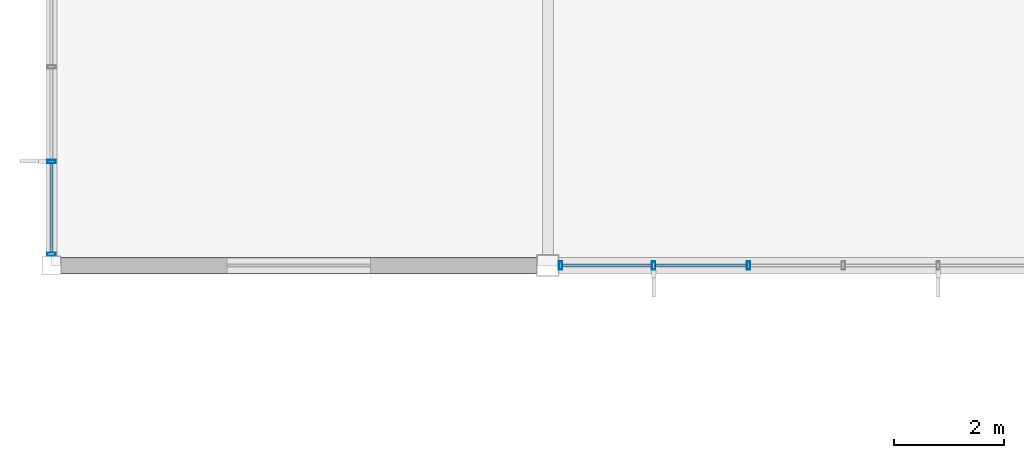
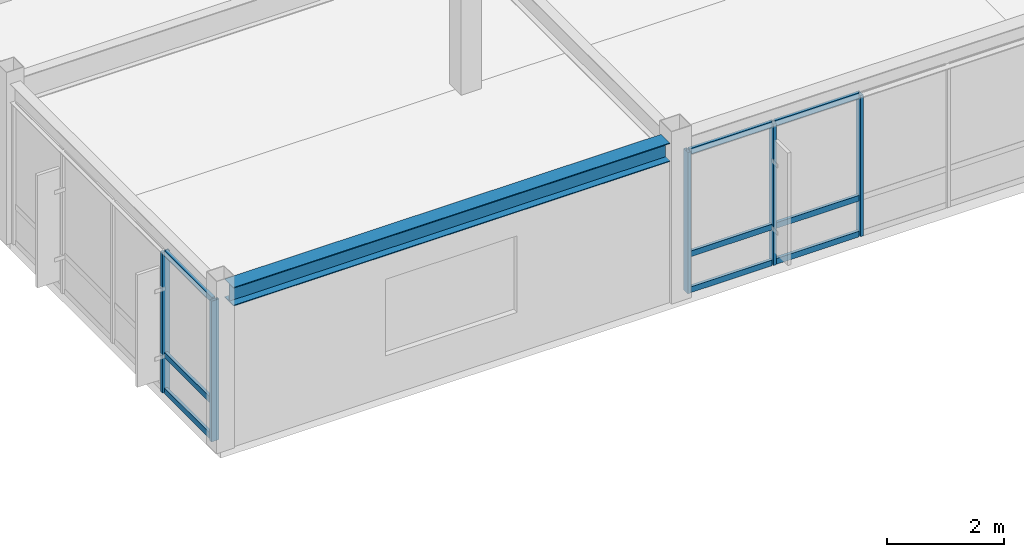
# One storey, part 4 of 34: 14 members, 1 beam, 2 elements without a shape of their own.
"""IFC4 building model written with IfcOpenShell, lengths in metres."""

from ifc_helpers import new_model, si_unit, direction, frame, origin, origin_2d, place, context, subcontext, project, spatial, hollow_rectangle, i_section, extrude, material, material_profile, profile_set, type_object, element, aggregate, save


model = new_model("IFC4")

# Units and contexts
model_context = context("Model", 3, precision=1e-05, world=origin(), true_north=direction((0.0, 1.0)))
body_context = subcontext(model_context, "Body", "Model", "MODEL_VIEW")
ifc_project = project(units=[si_unit("LENGTHUNIT", "METRE"), si_unit("AREAUNIT", "SQUARE_METRE"), si_unit("VOLUMEUNIT", "CUBIC_METRE"), si_unit("PLANEANGLEUNIT", "RADIAN"), si_unit("MASSUNIT", "GRAM", prefix="KILO")], contexts=[model_context])

# Site, building, storey
site_placement = place(None, origin())
site = spatial("IfcSite", under=ifc_project, at=site_placement, CompositionType="ELEMENT")
building_placement = place(site_placement, origin())
building = spatial("IfcBuilding", under=site, at=building_placement, Name="Kazanami Central Library", CompositionType="ELEMENT")
storey_placement = place(building_placement, frame((0.0, 0.0, 17.0)))
storey = spatial("IfcBuildingStorey", under=building, at=storey_placement, Name="L05", CompositionType="ELEMENT", Elevation=17.0)

# Beam
ifc_material_1 = material(Name="Steel SN490B (325 MPa)", Category="steel")
ifc_material_profile_1 = material_profile(ifc_material_1, i_section(OverallWidth=0.300048828125, OverallDepth=0.389892578125, WebThickness=0.010009765625, FlangeThickness=0.01611328125, at=origin_2d()), Name="H-390x300x10x16")
ifc_profile_set_1 = profile_set([ifc_material_profile_1], Name="Steel SN490B (325 MPa)")
beam_type = type_object("IfcBeamType", Name="BM-SP-4", PredefinedType="SPANDREL", material=ifc_profile_set_1)
beam_placement = place(storey_placement, frame((0.173095703125, 64.800048828125, 3.14501953125), z_axis=(1.0, 0.0, 0.0), x_axis=(0.0, 1.0, 0.0)))
element("IfcBeam", 1, at=beam_placement, inside=storey, type_object=beam_type, Name="Girder SP-4 L05 K/1-2", PredefinedType="SPANDREL", context=body_context, shape_type="SweptSolid", body=[
    extrude(i_section(OverallWidth=0.300048828125, OverallDepth=0.389892578125, WebThickness=0.010009765625, FlangeThickness=0.01611328125, at=origin_2d()), origin(), (0.0, 0.0, 1.0), 8.62890625),
])

# Curtain wall, members
ifc_material_2 = material(Name="Acid-Etched Low-E Laminated Glass", Category="glass")
curtain_wall_type_1 = type_object("IfcCurtainWallType", Name="CW-8600x2950-M180", PredefinedType="USERDEFINED", material=ifc_material_2)
curtain_wall_1_placement = place(storey_placement, origin())
curtain_wall_1 = element("IfcCurtainWall", 2, at=curtain_wall_1_placement, inside=storey, type_object=curtain_wall_type_1, Name="Unitised Curtain Wall CW-50 L05 S-K-01", ObjectType="UNITISED CURTAIN WALL", PredefinedType="USERDEFINED")
ifc_material_3 = material(Name="Anodised Aluminium A6063-T5", Category="aluminium")
ifc_material_profile_2 = material_profile(ifc_material_3, hollow_rectangle(XDim=0.06005859375, YDim=0.14990234375, WallThickness=0.00390625, at=origin_2d()), Name="ALU-MULL-60x150x4")
ifc_profile_set_2 = profile_set([ifc_material_profile_2], Name="Anodised Aluminium A6063-T5")
member_type_1 = type_object("IfcMemberType", Name="MEM-CW-M3", PredefinedType="MULLION", material=ifc_profile_set_2)
member_1_placement = place(storey_placement, frame((9.22998046875, 64.800048828125, 0.0), z_axis=(0.0, 0.0, 1.0), x_axis=(1.0, 0.0, 0.0)))
member_1 = element("IfcMember", 3, at=member_1_placement, type_object=member_type_1, Name="CW-50 mullion 1", PredefinedType="MULLION", context=body_context, shape_type="SweptSolid", body=[
    extrude(hollow_rectangle(XDim=0.06005859375, YDim=0.14990234375, WallThickness=0.00390625, at=origin_2d()), origin(), (0.0, 0.0, 1.0), 2.949951171875),
])
member_2_placement = place(storey_placement, frame((10.919921875, 64.800048828125, 0.0), z_axis=(0.0, 0.0, 1.0), x_axis=(1.0, 0.0, 0.0)))
member_2 = element("IfcMember", 4, at=member_2_placement, type_object=member_type_1, Name="CW-50 mullion 2", PredefinedType="MULLION", context=body_context, shape_type="SweptSolid", body=[
    extrude(hollow_rectangle(XDim=0.06005859375, YDim=0.14990234375, WallThickness=0.00390625, at=origin_2d()), origin(), (0.0, 0.0, 1.0), 2.949951171875),
])
member_3_placement = place(storey_placement, frame((12.639892578125, 64.800048828125, 0.0), z_axis=(0.0, 0.0, 1.0), x_axis=(1.0, 0.0, 0.0)))
member_3 = element("IfcMember", 5, at=member_3_placement, type_object=member_type_1, Name="CW-50 mullion 3", PredefinedType="MULLION", context=body_context, shape_type="SweptSolid", body=[
    extrude(hollow_rectangle(XDim=0.06005859375, YDim=0.14990234375, WallThickness=0.00390625, at=origin_2d()), origin(), (0.0, 0.0, 1.0), 2.949951171875),
])

curtain_wall_type_2 = type_object("IfcCurtainWallType", Name="CW-6850x2940-M180", PredefinedType="USERDEFINED", material=ifc_material_2)
curtain_wall_2_placement = place(storey_placement, origin())
curtain_wall_2 = element("IfcCurtainWall", 6, at=curtain_wall_2_placement, inside=storey, type_object=curtain_wall_type_2, Name="Unitised Curtain Wall CW-52 L05 W-1-09", ObjectType="UNITISED CURTAIN WALL", PredefinedType="USERDEFINED")
member_4_placement = place(storey_placement, frame((0.0, 65.0048828125, 0.0), z_axis=(0.0, 0.0, 1.0), x_axis=(0.0, 1.0, 0.0)))
member_4 = element("IfcMember", 7, at=member_4_placement, type_object=member_type_1, Name="CW-52 mullion 1", PredefinedType="MULLION", context=body_context, shape_type="SweptSolid", body=[
    extrude(hollow_rectangle(XDim=0.06005859375, YDim=0.14990234375, WallThickness=0.00390625, at=origin_2d()), origin(), (0.0, 0.0, 1.0), 2.93994140625),
])
member_5_placement = place(storey_placement, frame((0.0, 66.6875, 0.0), z_axis=(0.0, 0.0, 1.0), x_axis=(0.0, 1.0, 0.0)))
member_5 = element("IfcMember", 8, at=member_5_placement, type_object=member_type_1, Name="CW-52 mullion 2", PredefinedType="MULLION", context=body_context, shape_type="SweptSolid", body=[
    extrude(hollow_rectangle(XDim=0.06005859375, YDim=0.14990234375, WallThickness=0.00390625, at=origin_2d()), origin(), (0.0, 0.0, 1.0), 2.93994140625),
])

# Member
ifc_material_profile_3 = material_profile(ifc_material_3, hollow_rectangle(XDim=0.06005859375, YDim=0.1201171875, WallThickness=0.00341796875, at=origin_2d()), Name="ALU-TRAN-60x120x3.5")
ifc_profile_set_3 = profile_set([ifc_material_profile_3], Name="Anodised Aluminium A6063-T5")
member_type_2 = type_object("IfcMemberType", Name="MEM-CW-T3", PredefinedType="USERDEFINED", material=ifc_profile_set_3)
member_6_placement = place(storey_placement, frame((9.260009765625, 64.800048828125, 0.030029296875), z_axis=(1.0, 0.0, 0.0), x_axis=(0.0, 1.0, 0.0)))
member_6 = element("IfcMember", 9, at=member_6_placement, type_object=member_type_2, Name="CW-50 transom 1.1", ObjectType="TRANSOM", PredefinedType="USERDEFINED", context=body_context, shape_type="SweptSolid", body=[
    extrude(hollow_rectangle(XDim=0.06005859375, YDim=0.1201171875, WallThickness=0.00341796875, at=origin_2d()), origin(), (0.0, 0.0, 1.0), 1.6298828125),
])

member_7_placement = place(storey_placement, frame((9.260009765625, 64.800048828125, 0.780029296875), z_axis=(1.0, 0.0, 0.0), x_axis=(0.0, 1.0, 0.0)))
member_7 = element("IfcMember", 10, at=member_7_placement, type_object=member_type_2, Name="CW-50 transom 1.2", ObjectType="TRANSOM", PredefinedType="USERDEFINED", context=body_context, shape_type="SweptSolid", body=[
    extrude(hollow_rectangle(XDim=0.06005859375, YDim=0.1201171875, WallThickness=0.00341796875, at=origin_2d()), origin(), (0.0, 0.0, 1.0), 1.6298828125),
])

member_8_placement = place(storey_placement, frame((9.260009765625, 64.800048828125, 2.919921875), z_axis=(1.0, 0.0, 0.0), x_axis=(0.0, 1.0, 0.0)))
member_8 = element("IfcMember", 11, at=member_8_placement, type_object=member_type_2, Name="CW-50 transom 1.3", ObjectType="TRANSOM", PredefinedType="USERDEFINED", context=body_context, shape_type="SweptSolid", body=[
    extrude(hollow_rectangle(XDim=0.06005859375, YDim=0.1201171875, WallThickness=0.00341796875, at=origin_2d()), origin(), (0.0, 0.0, 1.0), 1.6298828125),
])

member_9_placement = place(storey_placement, frame((10.949951171875, 64.800048828125, 0.030029296875), z_axis=(1.0, 0.0, 0.0), x_axis=(0.0, 1.0, 0.0)))
member_9 = element("IfcMember", 12, at=member_9_placement, type_object=member_type_2, Name="CW-50 transom 2.1", ObjectType="TRANSOM", PredefinedType="USERDEFINED", context=body_context, shape_type="SweptSolid", body=[
    extrude(hollow_rectangle(XDim=0.06005859375, YDim=0.1201171875, WallThickness=0.00341796875, at=origin_2d()), origin(), (0.0, 0.0, 1.0), 1.66015625),
])

member_10_placement = place(storey_placement, frame((10.949951171875, 64.800048828125, 0.780029296875), z_axis=(1.0, 0.0, 0.0), x_axis=(0.0, 1.0, 0.0)))
member_10 = element("IfcMember", 13, at=member_10_placement, type_object=member_type_2, Name="CW-50 transom 2.2", ObjectType="TRANSOM", PredefinedType="USERDEFINED", context=body_context, shape_type="SweptSolid", body=[
    extrude(hollow_rectangle(XDim=0.06005859375, YDim=0.1201171875, WallThickness=0.00341796875, at=origin_2d()), origin(), (0.0, 0.0, 1.0), 1.66015625),
])

member_11_placement = place(storey_placement, frame((10.949951171875, 64.800048828125, 2.919921875), z_axis=(1.0, 0.0, 0.0), x_axis=(0.0, 1.0, 0.0)))
member_11 = element("IfcMember", 14, at=member_11_placement, type_object=member_type_2, Name="CW-50 transom 2.3", ObjectType="TRANSOM", PredefinedType="USERDEFINED", context=body_context, shape_type="SweptSolid", body=[
    extrude(hollow_rectangle(XDim=0.06005859375, YDim=0.1201171875, WallThickness=0.00341796875, at=origin_2d()), origin(), (0.0, 0.0, 1.0), 1.66015625),
])

aggregate(curtain_wall_1, [member_1, member_2, member_3, member_6, member_7, member_8, member_9, member_10, member_11])

member_12_placement = place(storey_placement, frame((0.0, 65.034912109375, 0.030029296875), z_axis=(0.0, 1.0, 0.0), x_axis=(-1.0, 0.0, 0.0)))
member_12 = element("IfcMember", 15, at=member_12_placement, type_object=member_type_2, Name="CW-52 transom 1.1", ObjectType="TRANSOM", PredefinedType="USERDEFINED", context=body_context, shape_type="SweptSolid", body=[
    extrude(hollow_rectangle(XDim=0.06005859375, YDim=0.1201171875, WallThickness=0.00341796875, at=origin_2d()), origin(), (0.0, 0.0, 1.0), 1.62255859375),
])

member_13_placement = place(storey_placement, frame((0.0, 65.034912109375, 0.780029296875), z_axis=(0.0, 1.0, 0.0), x_axis=(-1.0, 0.0, 0.0)))
member_13 = element("IfcMember", 16, at=member_13_placement, type_object=member_type_2, Name="CW-52 transom 1.2", ObjectType="TRANSOM", PredefinedType="USERDEFINED", context=body_context, shape_type="SweptSolid", body=[
    extrude(hollow_rectangle(XDim=0.06005859375, YDim=0.1201171875, WallThickness=0.00341796875, at=origin_2d()), origin(), (0.0, 0.0, 1.0), 1.62255859375),
])

member_14_placement = place(storey_placement, frame((0.0, 65.034912109375, 2.909912109375), z_axis=(0.0, 1.0, 0.0), x_axis=(-1.0, 0.0, 0.0)))
member_14 = element("IfcMember", 17, at=member_14_placement, type_object=member_type_2, Name="CW-52 transom 1.3", ObjectType="TRANSOM", PredefinedType="USERDEFINED", context=body_context, shape_type="SweptSolid", body=[
    extrude(hollow_rectangle(XDim=0.06005859375, YDim=0.1201171875, WallThickness=0.00341796875, at=origin_2d()), origin(), (0.0, 0.0, 1.0), 1.62255859375),
])

aggregate(curtain_wall_2, [member_4, member_5, member_12, member_13, member_14])

save(model, "model.ifc")
